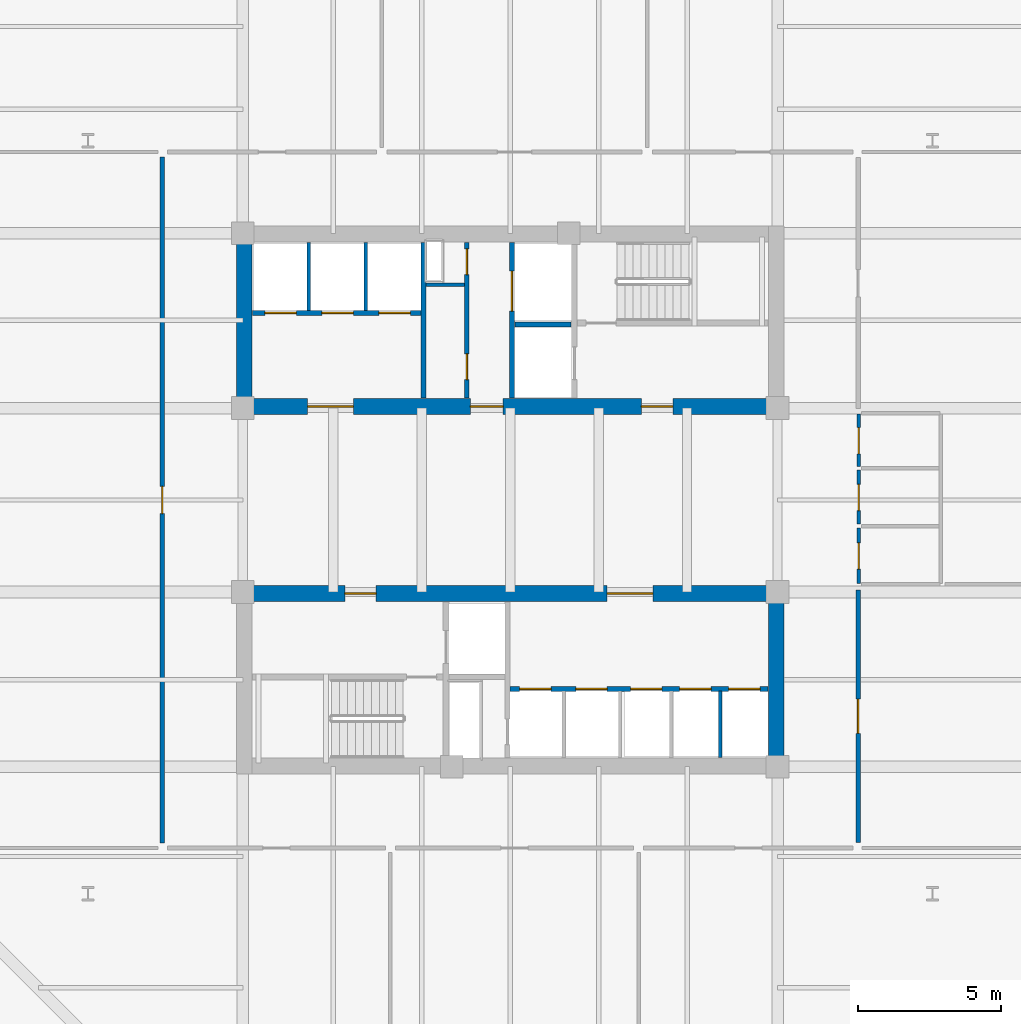
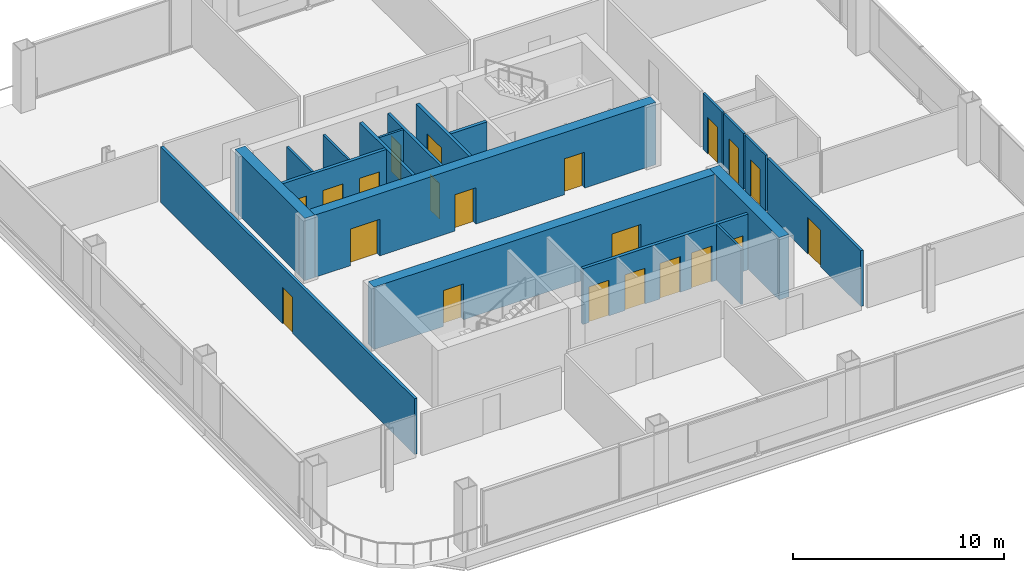
# One storey, part 20 of 24: 21 doors, 19 walls, 21 openings.
"""IFC4 building model written with IfcOpenShell, lengths in metres."""

import ifcopenshell
import ifcopenshell.guid

model = None  # the IFC model being written
_history = None  # IfcOwnerHistory: only IFC2X3 demands one
_inside = {}  # id of a spatial element -> (the spatial element, [elements in it])
_under = {}  # id of a project, library or spatial element -> (it, [spatial elements below it])
_declared = {}  # id of a project -> (the project, [libraries it declares])
_typed = {}  # id of a type object -> (the type object, [elements of that type])
_made_of = {}  # id of a material, layer set ... -> (it, [elements and type objects made of it])


def new_model(schema):
    """Start an empty IFC model of exactly this schema.

    Asked for "IFC4X3", IfcOpenShell would pick the latest addendum, in which some entities
    have other attributes; the version numbers below select the first issue.
    IFC2X3 requires an IfcOwnerHistory on every rooted entity: one is made here for all.
    """
    global model, _history
    if schema == "IFC4X3":
        model = ifcopenshell.file(schema_version=(4, 3, 0, 0))
    else:
        model = ifcopenshell.file(schema=schema)
    _inside.clear()
    _under.clear()
    _declared.clear()
    _typed.clear()
    _made_of.clear()
    _history = None
    if model.schema == "IFC2X3":
        org = make("IfcOrganization", Name="unknown")
        user = make(
            "IfcPersonAndOrganization",
            ThePerson=make("IfcPerson", FamilyName="unknown"),
            TheOrganization=org,
        )
        app = make(
            "IfcApplication",
            ApplicationDeveloper=org,
            Version="unknown",
            ApplicationFullName="unknown",
            ApplicationIdentifier="unknown",
        )
        _history = make(
            "IfcOwnerHistory",
            OwningUser=user,
            OwningApplication=app,
            ChangeAction="ADDED",
            CreationDate=0,
        )
    return model


def make(cls, **values):
    """One entity of the class cls with the attributes given. An attribute that is None is left unset."""
    return model.create_entity(
        cls, **{name: value for name, value in values.items() if value is not None}
    )


def rooted(cls, **values):
    """An entity with a GlobalId (a new one), such as an element, a storey or a relation."""
    return make(cls, GlobalId=ifcopenshell.guid.new(), OwnerHistory=_history, **values)


def si_unit(unit_type, name, prefix=None):
    """IfcSIUnit, for example si_unit("LENGTHUNIT", "METRE", prefix="MILLI")."""
    return make("IfcSIUnit", UnitType=unit_type, Prefix=prefix, Name=name)


def assignment(units):
    """IfcUnitAssignment: the units of a project."""
    return None if units is None else make("IfcUnitAssignment", Units=units)


def point(xyz):
    """IfcCartesianPoint."""
    return None if xyz is None else make("IfcCartesianPoint", Coordinates=xyz)


def direction(xyz):
    """IfcDirection."""
    return None if xyz is None else make("IfcDirection", DirectionRatios=xyz)


def frame(location, z_axis=None, x_axis=None):
    """IfcAxis2Placement3D, a coordinate frame: its origin and axes. An axis left out is left unset."""
    return make(
        "IfcAxis2Placement3D",
        Location=point(location),
        Axis=direction(z_axis),
        RefDirection=direction(x_axis),
    )


def frame_2d(location, x_axis=None):
    """IfcAxis2Placement2D, a coordinate frame in the plane: its origin and x axis."""
    return make(
        "IfcAxis2Placement2D", Location=point(location), RefDirection=direction(x_axis)
    )


def origin():
    """The frame at (0, 0, 0) with its axes left unset."""
    return frame((0.0, 0.0, 0.0))


def place(relative_to, where):
    """IfcLocalPlacement: puts the frame where relative to a parent placement (None: the world)."""
    return make(
        "IfcLocalPlacement", PlacementRelTo=relative_to, RelativePlacement=where
    )


def context(
    kind, dimensions, precision=None, world=None, true_north=None, identifier=None
):
    """IfcGeometricRepresentationContext, for example the 3D "Model" context."""
    return make(
        "IfcGeometricRepresentationContext",
        ContextIdentifier=identifier,
        ContextType=kind,
        CoordinateSpaceDimension=dimensions,
        Precision=precision,
        WorldCoordinateSystem=world,
        TrueNorth=true_north,
    )


def subcontext(parent, identifier, kind, view, scale=None):
    """IfcGeometricRepresentationSubContext, for example "Body" below "Model"."""
    return make(
        "IfcGeometricRepresentationSubContext",
        ContextIdentifier=identifier,
        ContextType=kind,
        ParentContext=parent,
        TargetScale=scale,
        TargetView=view,
    )


def project(units=None, contexts=None):
    """IfcProject with its units and contexts."""
    return rooted(
        "IfcProject",
        Name="project",
        RepresentationContexts=contexts,
        UnitsInContext=assignment(units),
    )


def spatial(cls, under=None, at=None, **own):
    """A site, building, storey or space (cls), placed at a placement, below another one or the project."""
    s = rooted(cls, ObjectPlacement=at, **own)
    if under is not None:
        _under.setdefault(under.id(), (under, []))[1].append(s)
    return s


def profile(cls, at=None, kind="AREA", **sizes):
    """A parametric profile (cls). Its sizes go by their IFC names, for example OverallWidth=200.0."""
    return make(cls, ProfileType=kind, Position=at, **sizes)


def rectangle(**sizes):
    """IfcRectangleProfileDef."""
    return profile("IfcRectangleProfileDef", **sizes)


def extrude(swept, where, along, depth):
    """IfcExtrudedAreaSolid: the profile swept, set in the frame where, extruded along a direction by depth."""
    return make(
        "IfcExtrudedAreaSolid",
        SweptArea=swept,
        Position=where,
        ExtrudedDirection=direction(along),
        Depth=depth,
    )


def shape(context_of_items, identifier, shape_type, items):
    """IfcShapeRepresentation: the items that make up one representation, for example the "Body"."""
    return make(
        "IfcShapeRepresentation",
        ContextOfItems=context_of_items,
        RepresentationIdentifier=identifier,
        RepresentationType=shape_type,
        Items=items,
    )


def material(Name=None, Category=None):
    """IfcMaterial."""
    return make("IfcMaterial", Name=Name, Category=Category)


def layer(
    of_material, thickness, ventilated=None, Name=None, Category=None, Priority=None
):
    """IfcMaterialLayer: one layer of a wall or slab, of a material (None: an air gap)."""
    return make(
        "IfcMaterialLayer",
        Material=of_material,
        LayerThickness=thickness,
        IsVentilated=ventilated,
        Name=Name,
        Category=Category,
        Priority=Priority,
    )


def layer_set(layers, Name=None):
    """IfcMaterialLayerSet."""
    return make("IfcMaterialLayerSet", MaterialLayers=layers, LayerSetName=Name)


def made_of(thing, what):
    """Note that an element or type object is made of a material, layer set ...; save() writes the relation."""
    if what is not None:
        _made_of.setdefault(what.id(), (what, []))[1].append(thing)
    return thing


def type_object(cls, material=None, **own):
    """A type object (cls), such as IfcWallType, which elements share."""
    return made_of(rooted(cls, **own), material)


def element(
    cls,
    number,
    at=None,
    inside=None,
    cuts=None,
    type_object=None,
    material=None,
    context=None,
    identifier="Body",
    shape_type=None,
    held_by="IfcProductDefinitionShape",
    body=None,
    shapes=None,
    **own,
):
    """One element of the class cls, such as IfcWall. Its Tag is "e" and its number.

    at: its placement. inside: the storey or other place that contains it. cuts: it is an
    opening in that element (IfcRelVoidsElement). A single representation is given by context,
    identifier, shape_type and body (its items); several are given by shapes. held_by: the class
    of the entity that holds the representations. save() writes the other relations.
    """
    e = rooted(cls, Tag="e%d" % number, ObjectPlacement=at, **own)
    if body is not None:
        shapes = [shape(context, identifier, shape_type, body)]
    if shapes is not None:
        e.Representation = make(held_by, Representations=shapes)
    if inside is not None:
        _inside.setdefault(inside.id(), (inside, []))[1].append(e)
    if cuts is not None:
        rooted(
            "IfcRelVoidsElement", RelatingBuildingElement=cuts, RelatedOpeningElement=e
        )
    if type_object is not None:
        _typed.setdefault(type_object.id(), (type_object, []))[1].append(e)
    return made_of(e, material)


def fill(opening, filler):
    """IfcRelFillsElement: the door or window that sits in an opening."""
    return rooted(
        "IfcRelFillsElement",
        RelatingOpeningElement=opening,
        RelatedBuildingElement=filler,
    )


def aggregate(whole, parts):
    """IfcRelAggregates: a whole, such as a stair, and the parts it consists of."""
    return rooted("IfcRelAggregates", RelatingObject=whole, RelatedObjects=parts)


def save(model, path):
    """Write the relations noted so far, then the file.

    IfcRelAggregates (storeys below a building ...), IfcRelContainedInSpatialStructure (elements
    in a storey), IfcRelDefinesByType, IfcRelAssociatesMaterial and IfcRelDeclares: one each for
    every whole, place, type object, material and project.
    """
    for whole, parts in _under.values():
        aggregate(whole, parts)
    for where, things in _inside.values():
        rooted(
            "IfcRelContainedInSpatialStructure",
            RelatedElements=things,
            RelatingStructure=where,
        )
    for kind, things in _typed.values():
        rooted("IfcRelDefinesByType", RelatedObjects=things, RelatingType=kind)
    for what, things in _made_of.values():
        rooted("IfcRelAssociatesMaterial", RelatedObjects=things, RelatingMaterial=what)
    for by, libraries in _declared.values():
        rooted("IfcRelDeclares", RelatingContext=by, RelatedDefinitions=libraries)
    model.write(path)


model = new_model("IFC4")

# Units and contexts
model_context = context("Model", 3, precision=1e-05, world=origin(), true_north=direction((0.0, 1.0)))
body_context = subcontext(model_context, "Body", "Model", "MODEL_VIEW")
ifc_project = project(units=[si_unit("LENGTHUNIT", "METRE"), si_unit("AREAUNIT", "SQUARE_METRE"), si_unit("VOLUMEUNIT", "CUBIC_METRE"), si_unit("PLANEANGLEUNIT", "RADIAN"), si_unit("MASSUNIT", "GRAM", prefix="KILO")], contexts=[model_context])

# Site, building, storey
site_placement = place(None, origin())
site = spatial("IfcSite", under=ifc_project, at=site_placement, CompositionType="ELEMENT")
building_placement = place(site_placement, origin())
building = spatial("IfcBuilding", under=site, at=building_placement, Name="Qhalaya Broadcast Tower", CompositionType="ELEMENT")
storey_placement = place(building_placement, frame((0.0, 0.0, 61.5)))
storey = spatial("IfcBuildingStorey", under=building, at=storey_placement, Name="L17", CompositionType="ELEMENT", Elevation=61.5)

# Wall, openings, doors
ifc_material_1 = material(Name="Gypsum Acoustic Partition")
ifc_layer_1 = layer(ifc_material_1, 0.14990234375, Name="Gypsum Acoustic Partition")
ifc_layer_set_1 = layer_set([ifc_layer_1], Name="Gypsum Acoustic Partition")
wall_type_1 = type_object("IfcWallType", Name="Corridor & Tenancy Acoustic Partition 150", PredefinedType="PARTITIONING", material=ifc_layer_set_1)
wall_1_placement = place(storey_placement, frame((-1.52001953125, 4.169921875, 0.0), z_axis=(0.0, 0.0, 1.0), x_axis=(0.0, 1.0, 0.0)))
wall_1 = element("IfcWall", 1, at=wall_1_placement, inside=storey, type_object=wall_type_1, Name="L17 Partition Wall NCW-SVL", PredefinedType="PARTITIONING", context=body_context, shape_type="SweptSolid", body=[
    extrude(rectangle(XDim=5.4599609375, YDim=0.14990234375, at=frame_2d((2.72998046875, 0.0))), origin(), (0.0, 0.0, 1.0), 3.219970703125),
])
opening_1_placement = place(wall_1_placement, frame((4.330078125, 0.0, 0.0)))
opening_1 = element("IfcOpeningElement", 2, at=opening_1_placement, cuts=wall_1, Name="Opening D06", PredefinedType="OPENING", context=body_context, shape_type="SweptSolid", body=[
    extrude(rectangle(XDim=0.89990234375, YDim=2.050048828125, at=frame_2d((0.449951171875, 1.02490234375))), frame((0.0, 0.0869140625, 0.0), z_axis=(0.0, -1.0, 0.0), x_axis=(1.0, 0.0, 0.0)), (0.0, 0.0, 1.0), 0.173828125),
])
opening_2_placement = place(wall_1_placement, frame((0.64990234375, 0.0, 0.0)))
opening_2 = element("IfcOpeningElement", 3, at=opening_2_placement, cuts=wall_1, Name="Opening D06", PredefinedType="OPENING", context=body_context, shape_type="SweptSolid", body=[
    extrude(rectangle(XDim=0.89990234375, YDim=2.050048828125, at=frame_2d((0.449951171875, 1.02490234375))), frame((0.0, 0.0869140625, 0.0), z_axis=(0.0, -1.0, 0.0), x_axis=(1.0, 0.0, 0.0)), (0.0, 0.0, 1.0), 0.173828125),
])
ifc_material_2 = material(Name="Fire-Rated Steel Door", Category="steel")
door_type_1 = type_object("IfcDoorType", Name="Riser & Electrical Shaft Access Door D06", OperationType="NOTDEFINED", PredefinedType="DOOR", material=ifc_material_2)
door_1_placement = place(opening_1_placement, origin())
door_1 = element("IfcDoor", 4, at=door_1_placement, inside=storey, type_object=door_type_1, Name="L17 Riser Shaft Access Door D-NRSR", OperationType="SINGLE_SWING_RIGHT", OverallHeight=2.050048828125, OverallWidth=0.89990234375, PredefinedType="DOOR", context=body_context, shape_type="SweptSolid", body=[
    extrude(rectangle(XDim=0.89990234375, YDim=2.050048828125, at=frame_2d((0.449951171875, 1.02490234375))), frame((0.0, 0.02490234375, 0.0), z_axis=(0.0, -1.0, 0.0), x_axis=(1.0, 0.0, 0.0)), (0.0, 0.0, 1.0), 0.050048828125),
])
fill(opening_1, door_1)
door_2_placement = place(opening_2_placement, origin())
door_2 = element("IfcDoor", 5, at=door_2_placement, inside=storey, type_object=door_type_1, Name="L17 Door D-NCST", OperationType="SINGLE_SWING_LEFT", OverallHeight=2.050048828125, OverallWidth=0.89990234375, PredefinedType="DOOR", context=body_context, shape_type="SweptSolid", body=[
    extrude(rectangle(XDim=0.89990234375, YDim=2.050048828125, at=frame_2d((0.449951171875, 1.02490234375))), frame((0.0, 0.02490234375, 0.0), z_axis=(0.0, -1.0, 0.0), x_axis=(1.0, 0.0, 0.0)), (0.0, 0.0, 1.0), 0.050048828125),
])
fill(opening_2, door_2)

# Wall, opening, door
wall_2_placement = place(storey_placement, frame((-12.199951171875, -11.419921875, 0.0), z_axis=(0.0, 0.0, 1.0), x_axis=(0.0, 1.0, 0.0)))
wall_2 = element("IfcWall", 6, at=wall_2_placement, inside=storey, type_object=wall_type_1, Name="L17 Partition Wall W-COR-07", PredefinedType="PARTITIONING", context=body_context, shape_type="SweptSolid", body=[
    extrude(rectangle(XDim=24.0400390625, YDim=0.14990234375, at=frame_2d((12.02001953125, 0.0))), origin(), (0.0, 0.0, 1.0), 3.219970703125),
])
opening_3_placement = place(wall_2_placement, frame((11.544921875, 0.0, 0.0)))
opening_3 = element("IfcOpeningElement", 7, at=opening_3_placement, cuts=wall_2, Name="Opening D10", PredefinedType="OPENING", context=body_context, shape_type="SweptSolid", body=[
    extrude(rectangle(XDim=0.949951171875, YDim=2.10009765625, at=frame_2d((0.47509765625, 1.050048828125))), frame((0.0, 0.0869140625, 0.0), z_axis=(0.0, -1.0, 0.0), x_axis=(1.0, 0.0, 0.0)), (0.0, 0.0, 1.0), 0.173828125),
])
ifc_material_3 = material(Name="Timber Veneer Acoustic Door", Category="wood")
door_type_2 = type_object("IfcDoorType", Name="Cellular Office & Edit Booth Door D10", OperationType="NOTDEFINED", PredefinedType="DOOR", material=ifc_material_3)
door_3_placement = place(opening_3_placement, origin())
door_3 = element("IfcDoor", 8, at=door_3_placement, inside=storey, type_object=door_type_2, Name="L17 Door D-RM07", OperationType="SINGLE_SWING_LEFT", OverallHeight=2.10009765625, OverallWidth=0.949951171875, PredefinedType="DOOR", context=body_context, shape_type="SweptSolid", body=[
    extrude(rectangle(XDim=0.949951171875, YDim=2.10009765625, at=frame_2d((0.47509765625, 1.050048828125))), frame((0.0, 0.02490234375, 0.0), z_axis=(0.0, -1.0, 0.0), x_axis=(1.0, 0.0, 0.0)), (0.0, 0.0, 1.0), 0.050048828125),
])
fill(opening_3, door_3)

wall_3_placement = place(storey_placement, frame((12.199951171875, -11.39990234375, 0.0), z_axis=(0.0, 0.0, 1.0), x_axis=(0.0, 1.0, 0.0)))
wall_3 = element("IfcWall", 9, at=wall_3_placement, inside=storey, type_object=wall_type_1, Name="L17 Partition Wall W-COR-08", PredefinedType="PARTITIONING", context=body_context, shape_type="SweptSolid", body=[
    extrude(rectangle(XDim=8.83984375, YDim=0.14990234375, at=frame_2d((4.419921875, 0.0))), origin(), (0.0, 0.0, 1.0), 3.219970703125),
])
opening_4_placement = place(wall_3_placement, frame((3.820068359375, 0.0, 0.0)))
opening_4 = element("IfcOpeningElement", 10, at=opening_4_placement, cuts=wall_3, Name="Opening D11", PredefinedType="OPENING", context=body_context, shape_type="SweptSolid", body=[
    extrude(rectangle(XDim=1.199951171875, YDim=2.10009765625, at=frame_2d((0.60009765625, 1.050048828125))), frame((0.0, 0.0869140625, 0.0), z_axis=(0.0, -1.0, 0.0), x_axis=(1.0, 0.0, 0.0)), (0.0, 0.0, 1.0), 0.173828125),
])
ifc_material_4 = material(Name="Anodised Aluminium Glazed Door", Category="aluminium")
door_type_3 = type_object("IfcDoorType", Name="Conference, Boardroom & Studio Control Door D11", OperationType="NOTDEFINED", PredefinedType="DOOR", material=ifc_material_4)
door_4_placement = place(opening_4_placement, origin())
door_4 = element("IfcDoor", 11, at=door_4_placement, inside=storey, type_object=door_type_3, Name="L17 Door D-RM08", OperationType="SINGLE_SWING_RIGHT", OverallHeight=2.10009765625, OverallWidth=1.199951171875, PredefinedType="DOOR", context=body_context, shape_type="SweptSolid", body=[
    extrude(rectangle(XDim=1.199951171875, YDim=2.10009765625, at=frame_2d((0.60009765625, 1.050048828125))), frame((0.0, 0.02490234375, 0.0), z_axis=(0.0, -1.0, 0.0), x_axis=(1.0, 0.0, 0.0)), (0.0, 0.0, 1.0), 0.050048828125),
])
fill(opening_4, door_4)

# Wall, openings, doors
ifc_material_5 = material(Name="Concrete C60/75", Category="concrete")
ifc_layer_2 = layer(ifc_material_5, 0.550048828125, Name="Concrete C60/75")
ifc_layer_set_2 = layer_set([ifc_layer_2], Name="Concrete C60/75")
wall_type_2 = type_object("IfcWallType", Name="Lower Split-Core Shear Wall 550", PredefinedType="SHEAR", material=ifc_layer_set_2)
wall_4_placement = place(storey_placement, frame((-9.60009765625, 3.875, 0.0), z_axis=(0.0, 0.0, 1.0), x_axis=(1.0, 0.0, 0.0)))
wall_4 = element("IfcWall", 12, at=wall_4_placement, inside=storey, type_object=wall_type_2, Name="L17 Split-Core Shear Wall CW-NS", PredefinedType="SHEAR", context=body_context, shape_type="SweptSolid", body=[
    extrude(rectangle(XDim=19.2001953125, YDim=0.550048828125, at=frame_2d((9.60009765625, 0.0))), origin(), (0.0, 0.0, 1.0), 3.60009765625),
])
opening_5_placement = place(wall_4_placement, frame((14.199951171875, 0.0, 0.0)))
opening_5 = element("IfcOpeningElement", 13, at=opening_5_placement, cuts=wall_4, Name="Opening D04", PredefinedType="OPENING", context=body_context, shape_type="SweptSolid", body=[
    extrude(rectangle(XDim=1.10009765625, YDim=2.080078125, at=frame_2d((0.550048828125, 1.0400390625))), frame((0.0, 0.287109375, 0.0), z_axis=(0.0, -1.0, 0.0), x_axis=(1.0, 0.0, 0.0)), (0.0, 0.0, 1.0), 0.573974609375),
])
opening_6_placement = place(wall_4_placement, frame((8.199951171875, 0.0, 0.0)))
opening_6 = element("IfcOpeningElement", 14, at=opening_6_placement, cuts=wall_4, Name="Opening D05", PredefinedType="OPENING", context=body_context, shape_type="SweptSolid", body=[
    extrude(rectangle(XDim=1.14990234375, YDim=2.10009765625, at=frame_2d((0.574951171875, 1.050048828125))), frame((0.0, 0.287109375, 0.0), z_axis=(0.0, -1.0, 0.0), x_axis=(1.0, 0.0, 0.0)), (0.0, 0.0, 1.0), 0.573974609375),
])
opening_7_placement = place(wall_4_placement, frame((2.5, 0.0, 0.0)))
opening_7 = element("IfcOpeningElement", 15, at=opening_7_placement, cuts=wall_4, Name="Opening D07", PredefinedType="OPENING", context=body_context, shape_type="SweptSolid", body=[
    extrude(rectangle(XDim=1.60009765625, YDim=2.1201171875, at=frame_2d((0.800048828125, 1.06005859375))), frame((0.0, 0.287109375, 0.0), z_axis=(0.0, -1.0, 0.0), x_axis=(1.0, 0.0, 0.0)), (0.0, 0.0, 1.0), 0.573974609375),
])
door_type_4 = type_object("IfcDoorType", Name="Firefighting Lobby Rated Door D04", OperationType="NOTDEFINED", PredefinedType="DOOR", material=ifc_material_2)
door_5_placement = place(opening_5_placement, origin())
door_5 = element("IfcDoor", 16, at=door_5_placement, inside=storey, type_object=door_type_4, Name="L17 Door D-NFF", OperationType="SINGLE_SWING_RIGHT", OverallHeight=2.080078125, OverallWidth=1.10009765625, PredefinedType="DOOR", context=body_context, shape_type="SweptSolid", body=[
    extrude(rectangle(XDim=1.10009765625, YDim=2.080078125, at=frame_2d((0.550048828125, 1.0400390625))), frame((0.0, 0.02490234375, 0.0), z_axis=(0.0, -1.0, 0.0), x_axis=(1.0, 0.0, 0.0)), (0.0, 0.0, 1.0), 0.050048828125),
])
fill(opening_5, door_5)
door_type_5 = type_object("IfcDoorType", Name="Passenger Lift Lobby Double Glazed Door D07", OperationType="DOUBLE_DOOR_SINGLE_SWING", PredefinedType="DOOR", material=ifc_material_4)
door_6_placement = place(opening_7_placement, origin())
door_6 = element("IfcDoor", 17, at=door_6_placement, inside=storey, type_object=door_type_5, Name="L17 Door D-NPLL", OperationType="DOUBLE_DOOR_SINGLE_SWING", OverallHeight=2.1201171875, OverallWidth=1.60009765625, PredefinedType="DOOR", context=body_context, shape_type="SweptSolid", body=[
    extrude(rectangle(XDim=1.60009765625, YDim=2.1201171875, at=frame_2d((0.800048828125, 1.06005859375))), frame((0.0, 0.02490234375, 0.0), z_axis=(0.0, -1.0, 0.0), x_axis=(1.0, 0.0, 0.0)), (0.0, 0.0, 1.0), 0.050048828125),
])
fill(opening_7, door_6)
door_type_6 = type_object("IfcDoorType", Name="Refuge & Plant Room Fire Door D05", OperationType="NOTDEFINED", PredefinedType="DOOR", material=ifc_material_2)
door_7_placement = place(opening_6_placement, origin())
door_7 = element("IfcDoor", 18, at=door_7_placement, inside=storey, type_object=door_type_6, Name="L17 Door D-NSVL", OperationType="SINGLE_SWING_LEFT", OverallHeight=2.10009765625, OverallWidth=1.14990234375, PredefinedType="DOOR", context=body_context, shape_type="SweptSolid", body=[
    extrude(rectangle(XDim=1.14990234375, YDim=2.10009765625, at=frame_2d((0.574951171875, 1.050048828125))), frame((0.0, 0.02490234375, 0.0), z_axis=(0.0, -1.0, 0.0), x_axis=(1.0, 0.0, 0.0)), (0.0, 0.0, 1.0), 0.050048828125),
])
fill(opening_6, door_7)

# Wall
wall_5_placement = place(storey_placement, frame((-9.324951171875, 3.60009765625, 0.0), z_axis=(0.0, 0.0, 1.0), x_axis=(0.0, 1.0, 0.0)))
element("IfcWall", 19, at=wall_5_placement, inside=storey, type_object=wall_type_2, Name="L17 Split-Core Shear Wall CW-NW", PredefinedType="SHEAR", context=body_context, shape_type="SweptSolid", body=[
    extrude(rectangle(XDim=6.599853515625, YDim=0.550048828125, at=frame_2d((3.2998046875, 0.0))), origin(), (0.0, 0.0, 1.0), 3.60009765625),
])

# Wall, openings, doors
wall_6_placement = place(storey_placement, frame((-9.60009765625, -2.675048828125, 0.0), z_axis=(0.0, 0.0, 1.0), x_axis=(1.0, 0.0, 0.0)))
wall_6 = element("IfcWall", 20, at=wall_6_placement, inside=storey, type_object=wall_type_2, Name="L17 Split-Core Shear Wall CW-SN", PredefinedType="SHEAR", context=body_context, shape_type="SweptSolid", body=[
    extrude(rectangle(XDim=19.2001953125, YDim=0.550048828125, at=frame_2d((9.60009765625, 0.0))), origin(), (0.0, 0.0, 1.0), 3.60009765625),
])
opening_8_placement = place(wall_6_placement, frame((3.800048828125, 0.0, 0.0)))
opening_8 = element("IfcOpeningElement", 21, at=opening_8_placement, cuts=wall_6, Name="Opening D04", PredefinedType="OPENING", context=body_context, shape_type="SweptSolid", body=[
    extrude(rectangle(XDim=1.10009765625, YDim=2.080078125, at=frame_2d((0.550048828125, 1.0400390625))), frame((0.0, 0.287109375, 0.0), z_axis=(0.0, -1.0, 0.0), x_axis=(1.0, 0.0, 0.0)), (0.0, 0.0, 1.0), 0.573974609375),
])
opening_9_placement = place(wall_6_placement, frame((13.0, 0.0, 0.0)))
opening_9 = element("IfcOpeningElement", 22, at=opening_9_placement, cuts=wall_6, Name="Opening D07", PredefinedType="OPENING", context=body_context, shape_type="SweptSolid", body=[
    extrude(rectangle(XDim=1.60009765625, YDim=2.1201171875, at=frame_2d((0.800048828125, 1.06005859375))), frame((0.0, 0.287109375, 0.0), z_axis=(0.0, -1.0, 0.0), x_axis=(1.0, 0.0, 0.0)), (0.0, 0.0, 1.0), 0.573974609375),
])
door_8_placement = place(opening_8_placement, origin())
door_8 = element("IfcDoor", 23, at=door_8_placement, inside=storey, type_object=door_type_4, Name="L17 Door D-SFF", OperationType="SINGLE_SWING_LEFT", OverallHeight=2.080078125, OverallWidth=1.10009765625, PredefinedType="DOOR", context=body_context, shape_type="SweptSolid", body=[
    extrude(rectangle(XDim=1.10009765625, YDim=2.080078125, at=frame_2d((0.550048828125, 1.0400390625))), frame((0.0, 0.02490234375, 0.0), z_axis=(0.0, -1.0, 0.0), x_axis=(1.0, 0.0, 0.0)), (0.0, 0.0, 1.0), 0.050048828125),
])
fill(opening_8, door_8)
door_9_placement = place(opening_9_placement, origin())
door_9 = element("IfcDoor", 24, at=door_9_placement, inside=storey, type_object=door_type_5, Name="L17 Door D-SPLL", OperationType="DOUBLE_DOOR_SINGLE_SWING", OverallHeight=2.1201171875, OverallWidth=1.60009765625, PredefinedType="DOOR", context=body_context, shape_type="SweptSolid", body=[
    extrude(rectangle(XDim=1.60009765625, YDim=2.1201171875, at=frame_2d((0.800048828125, 1.06005859375))), frame((0.0, 0.02490234375, 0.0), z_axis=(0.0, -1.0, 0.0), x_axis=(1.0, 0.0, 0.0)), (0.0, 0.0, 1.0), 0.050048828125),
])
fill(opening_9, door_9)

# Walls
wall_7_placement = place(storey_placement, frame((9.324951171875, -9.0, 0.0), z_axis=(0.0, 0.0, 1.0), x_axis=(0.0, 1.0, 0.0)))
element("IfcWall", 25, at=wall_7_placement, inside=storey, type_object=wall_type_2, Name="L17 Split-Core Shear Wall CW-SE", PredefinedType="SHEAR", context=body_context, shape_type="SweptSolid", body=[
    extrude(rectangle(XDim=6.60009765625, YDim=0.550048828125, at=frame_2d((3.300048828125, 0.0))), origin(), (0.0, 0.0, 1.0), 3.60009765625),
])
ifc_layer_3 = layer(ifc_material_1, 0.1201171875, Name="Gypsum Acoustic Partition")
ifc_layer_set_3 = layer_set([ifc_layer_3], Name="Gypsum Acoustic Partition")
wall_type_3 = type_object("IfcWallType", Name="Office, Booth & Sanitary Partition 120", PredefinedType="PARTITIONING", material=ifc_layer_set_3)
wall_8_placement = place(storey_placement, frame((-2.9599609375, 8.14990234375, 0.0), z_axis=(0.0, 0.0, 1.0), x_axis=(1.0, 0.0, 0.0)))
element("IfcWall", 26, at=wall_8_placement, inside=storey, type_object=wall_type_3, Name="L17 Partition Wall NCW-VA", PredefinedType="PARTITIONING", context=body_context, shape_type="SweptSolid", body=[
    extrude(rectangle(XDim=1.35986328125, YDim=0.1201171875, at=frame_2d((0.679931640625, 0.0))), origin(), (0.0, 0.0, 1.0), 3.219970703125),
])
for number, where, z_axis, x_axis, name in (
    (27, (-7.06005859375, 7.25, 0.0), (0.0, 0.0, 1.0), (0.0, 1.0, 0.0), "L17 Partition Wall NCW-PD1"),
    (28, (-5.06005859375, 7.25, 0.0), (0.0, 0.0, 1.0), (0.0, 1.0, 0.0), "L17 Partition Wall NCW-PD2"),
):
    element("IfcWall", number, at=place(storey_placement, frame(where, z_axis=z_axis, x_axis=x_axis)), inside=storey, type_object=wall_type_3, Name=name, PredefinedType="PARTITIONING", context=body_context, shape_type="SweptSolid", body=[
        extrude(rectangle(XDim=2.3798828125, YDim=0.1201171875, at=frame_2d((1.18994140625, 0.0))), origin(), (0.0, 0.0, 1.0), 3.219970703125),
    ])
wall_9_placement = place(storey_placement, frame((7.360107421875, -8.429931640625, 0.0), z_axis=(0.0, 0.0, 1.0), x_axis=(0.0, 1.0, 0.0)))
element("IfcWall", 29, at=wall_9_placement, inside=storey, type_object=wall_type_3, Name="L17 Partition Wall SCW-HD7", PredefinedType="PARTITIONING", context=body_context, shape_type="SweptSolid", body=[
    extrude(rectangle(XDim=2.329833984375, YDim=0.1201171875, at=frame_2d((1.1650390625, 0.0))), origin(), (0.0, 0.0, 1.0), 3.219970703125),
])

# Wall, opening, door
wall_10_placement = place(storey_placement, frame((12.219970703125, -2.320068359375, 0.0), z_axis=(0.0, 0.0, 1.0), x_axis=(0.0, 1.0, 0.0)))
wall_10 = element("IfcWall", 30, at=wall_10_placement, inside=storey, type_object=wall_type_3, Name="L17 Partition Wall W-WCWA", PredefinedType="PARTITIONING", context=body_context, shape_type="SweptSolid", body=[
    extrude(rectangle(XDim=1.940185546875, YDim=0.1201171875, at=frame_2d((0.97021484375, 0.0))), origin(), (0.0, 0.0, 1.0), 3.219970703125),
])
opening_10_placement = place(wall_10_placement, frame((0.4951171875, 0.0, 0.0)))
opening_10 = element("IfcOpeningElement", 31, at=opening_10_placement, cuts=wall_10, Name="Opening D12", PredefinedType="OPENING", context=body_context, shape_type="SweptSolid", body=[
    extrude(rectangle(XDim=0.919921875, YDim=2.10009765625, at=frame_2d((0.4599609375, 1.050048828125))), frame((0.0, 0.072021484375, 0.0), z_axis=(0.0, -1.0, 0.0), x_axis=(1.0, 0.0, 0.0)), (0.0, 0.0, 1.0), 0.14404296875),
])
door_type_7 = type_object("IfcDoorType", Name="Accessible WC & Restroom Door D12", OperationType="NOTDEFINED", PredefinedType="DOOR", material=ifc_material_3)
door_10_placement = place(opening_10_placement, origin())
door_10 = element("IfcDoor", 32, at=door_10_placement, inside=storey, type_object=door_type_7, Name="L17 Door D-WCA", OperationType="SINGLE_SWING_LEFT", OverallHeight=2.10009765625, OverallWidth=0.919921875, PredefinedType="DOOR", context=body_context, shape_type="SweptSolid", body=[
    extrude(rectangle(XDim=0.919921875, YDim=2.10009765625, at=frame_2d((0.4599609375, 1.050048828125))), frame((0.0, 0.02490234375, 0.0), z_axis=(0.0, -1.0, 0.0), x_axis=(1.0, 0.0, 0.0)), (0.0, 0.0, 1.0), 0.050048828125),
])
fill(opening_10, door_10)

wall_11_placement = place(storey_placement, frame((12.219970703125, -0.25, 0.0), z_axis=(0.0, 0.0, 1.0), x_axis=(0.0, 1.0, 0.0)))
wall_11 = element("IfcWall", 33, at=wall_11_placement, inside=storey, type_object=wall_type_3, Name="L17 Partition Wall W-WCWM", PredefinedType="PARTITIONING", context=body_context, shape_type="SweptSolid", body=[
    extrude(rectangle(XDim=1.89990234375, YDim=0.1201171875, at=frame_2d((0.949951171875, 0.0))), origin(), (0.0, 0.0, 1.0), 3.219970703125),
])
opening_11_placement = place(wall_11_placement, frame((0.47509765625, 0.0, 0.0)))
opening_11 = element("IfcOpeningElement", 34, at=opening_11_placement, cuts=wall_11, Name="Opening D12", PredefinedType="OPENING", context=body_context, shape_type="SweptSolid", body=[
    extrude(rectangle(XDim=0.919921875, YDim=2.10009765625, at=frame_2d((0.4599609375, 1.050048828125))), frame((0.0, 0.072021484375, 0.0), z_axis=(0.0, -1.0, 0.0), x_axis=(1.0, 0.0, 0.0)), (0.0, 0.0, 1.0), 0.14404296875),
])
door_11_placement = place(opening_11_placement, origin())
door_11 = element("IfcDoor", 35, at=door_11_placement, inside=storey, type_object=door_type_7, Name="L17 Door D-WCM", OperationType="SINGLE_SWING_RIGHT", OverallHeight=2.10009765625, OverallWidth=0.919921875, PredefinedType="DOOR", context=body_context, shape_type="SweptSolid", body=[
    extrude(rectangle(XDim=0.919921875, YDim=2.10009765625, at=frame_2d((0.4599609375, 1.050048828125))), frame((0.0, 0.02490234375, 0.0), z_axis=(0.0, -1.0, 0.0), x_axis=(1.0, 0.0, 0.0)), (0.0, 0.0, 1.0), 0.050048828125),
])
fill(opening_11, door_11)

wall_12_placement = place(storey_placement, frame((12.219970703125, 1.780029296875, 0.0), z_axis=(0.0, 0.0, 1.0), x_axis=(0.0, 1.0, 0.0)))
wall_12 = element("IfcWall", 36, at=wall_12_placement, inside=storey, type_object=wall_type_3, Name="L17 Partition Wall W-WCWF", PredefinedType="PARTITIONING", context=body_context, shape_type="SweptSolid", body=[
    extrude(rectangle(XDim=1.830078125, YDim=0.1201171875, at=frame_2d((0.9150390625, 0.0))), origin(), (0.0, 0.0, 1.0), 3.219970703125),
])
opening_12_placement = place(wall_12_placement, frame((0.43994140625, 0.0, 0.0)))
opening_12 = element("IfcOpeningElement", 37, at=opening_12_placement, cuts=wall_12, Name="Opening D12", PredefinedType="OPENING", context=body_context, shape_type="SweptSolid", body=[
    extrude(rectangle(XDim=0.919921875, YDim=2.10009765625, at=frame_2d((0.4599609375, 1.050048828125))), frame((0.0, 0.072021484375, 0.0), z_axis=(0.0, -1.0, 0.0), x_axis=(1.0, 0.0, 0.0)), (0.0, 0.0, 1.0), 0.14404296875),
])
door_12_placement = place(opening_12_placement, origin())
door_12 = element("IfcDoor", 38, at=door_12_placement, inside=storey, type_object=door_type_7, Name="L17 Door D-WCF", OperationType="SINGLE_SWING_LEFT", OverallHeight=2.10009765625, OverallWidth=0.919921875, PredefinedType="DOOR", context=body_context, shape_type="SweptSolid", body=[
    extrude(rectangle(XDim=0.919921875, YDim=2.10009765625, at=frame_2d((0.4599609375, 1.050048828125))), frame((0.0, 0.02490234375, 0.0), z_axis=(0.0, -1.0, 0.0), x_axis=(1.0, 0.0, 0.0)), (0.0, 0.0, 1.0), 0.050048828125),
])
fill(opening_12, door_12)

ifc_layer_4 = layer(ifc_material_1, 0.175048828125, Name="Gypsum Acoustic Partition")
ifc_layer_set_4 = layer_set([ifc_layer_4], Name="Gypsum Acoustic Partition")
wall_type_4 = type_object("IfcWallType", Name="Shaft & Riser Fire Partition 175", PredefinedType="PARTITIONING", material=ifc_layer_set_4)
wall_13_placement = place(storey_placement, frame((0.06005859375, 4.169921875, 0.0), z_axis=(0.0, 0.0, 1.0), x_axis=(0.0, 1.0, 0.0)))
wall_13 = element("IfcWall", 39, at=wall_13_placement, inside=storey, type_object=wall_type_4, Name="L17 Partition Wall NCW-SVW", PredefinedType="PARTITIONING", context=body_context, shape_type="SweptSolid", body=[
    extrude(rectangle(XDim=5.4599609375, YDim=0.175048828125, at=frame_2d((2.72998046875, 0.0))), origin(), (0.0, 0.0, 1.0), 3.219970703125),
])
opening_13_placement = place(wall_13_placement, frame((3.050048828125, 0.0, 0.0)))
opening_13 = element("IfcOpeningElement", 40, at=opening_13_placement, cuts=wall_13, Name="Opening LD3", PredefinedType="OPENING", context=body_context, shape_type="SweptSolid", body=[
    extrude(rectangle(XDim=1.39990234375, YDim=2.1201171875, at=frame_2d((0.699951171875, 1.06005859375))), frame((0.0, 0.099609375, 0.0), z_axis=(0.0, -1.0, 0.0), x_axis=(1.0, 0.0, 0.0)), (0.0, 0.0, 1.0), 0.198974609375),
])
ifc_material_6 = material(Name="Brushed Stainless Steel Lift Door", Category="steel")
door_type_8 = type_object("IfcDoorType", Name="Service Lift Wide Sliding Landing Door LD3", OperationType="DOUBLE_DOOR_SLIDING", PredefinedType="DOOR", material=ifc_material_6)
door_13_placement = place(opening_13_placement, origin())
door_13 = element("IfcDoor", 41, at=door_13_placement, inside=storey, type_object=door_type_8, Name="L17 Door LD-SV1", OperationType="DOUBLE_DOOR_SLIDING", OverallHeight=2.1201171875, OverallWidth=1.39990234375, PredefinedType="DOOR", context=body_context, shape_type="SweptSolid", body=[
    extrude(rectangle(XDim=1.39990234375, YDim=2.1201171875, at=frame_2d((0.699951171875, 1.06005859375))), frame((0.0, 0.02490234375, 0.0), z_axis=(0.0, -1.0, 0.0), x_axis=(1.0, 0.0, 0.0)), (0.0, 0.0, 1.0), 0.050048828125),
])
fill(opening_13, door_13)

# Walls
wall_14_placement = place(storey_placement, frame((0.159912109375, 6.75, 0.0), z_axis=(0.0, 0.0, 1.0), x_axis=(1.0, 0.0, 0.0)))
element("IfcWall", 42, at=wall_14_placement, inside=storey, type_object=wall_type_4, Name="L17 Partition Wall NCW-SVM", PredefinedType="PARTITIONING", context=body_context, shape_type="SweptSolid", body=[
    extrude(rectangle(XDim=1.97998046875, YDim=0.175048828125, at=frame_2d((0.989990234375, 0.0))), origin(), (0.0, 0.0, 1.0), 3.219970703125),
])
wall_15_placement = place(storey_placement, frame((-3.0400390625, 4.169921875, 0.0), z_axis=(0.0, 0.0, 1.0), x_axis=(0.0, 1.0, 0.0)))
element("IfcWall", 43, at=wall_15_placement, inside=storey, type_object=wall_type_4, Name="L17 Partition Wall NCW-VRW", PredefinedType="PARTITIONING", context=body_context, shape_type="SweptSolid", body=[
    extrude(rectangle(XDim=5.4599609375, YDim=0.175048828125, at=frame_2d((2.72998046875, 0.0))), origin(), (0.0, 0.0, 1.0), 3.219970703125),
])

# Wall, openings, doors
wall_16_placement = place(storey_placement, frame((-9.030029296875, 7.159912109375, 0.0), z_axis=(0.0, 0.0, 1.0), x_axis=(1.0, 0.0, 0.0)))
wall_16 = element("IfcWall", 44, at=wall_16_placement, inside=storey, type_object=wall_type_4, Name="L17 Partition Wall NCW-PLB", PredefinedType="PARTITIONING", context=body_context, shape_type="SweptSolid", body=[
    extrude(rectangle(XDim=5.909912109375, YDim=0.175048828125, at=frame_2d((2.955078125, 0.0))), origin(), (0.0, 0.0, 1.0), 3.219970703125),
])
opening_14_placement = place(wall_16_placement, frame((0.429931640625, 0.0, 0.0)))
opening_14 = element("IfcOpeningElement", 45, at=opening_14_placement, cuts=wall_16, Name="Opening LD1", PredefinedType="OPENING", context=body_context, shape_type="SweptSolid", body=[
    extrude(rectangle(XDim=1.10009765625, YDim=2.06005859375, at=frame_2d((0.550048828125, 1.030029296875))), frame((0.0, 0.099609375, 0.0), z_axis=(0.0, -1.0, 0.0), x_axis=(1.0, 0.0, 0.0)), (0.0, 0.0, 1.0), 0.198974609375),
])
opening_15_placement = place(wall_16_placement, frame((2.429931640625, 0.0, 0.0)))
opening_15 = element("IfcOpeningElement", 46, at=opening_15_placement, cuts=wall_16, Name="Opening LD1", PredefinedType="OPENING", context=body_context, shape_type="SweptSolid", body=[
    extrude(rectangle(XDim=1.10009765625, YDim=2.06005859375, at=frame_2d((0.550048828125, 1.030029296875))), frame((0.0, 0.099609375, 0.0), z_axis=(0.0, -1.0, 0.0), x_axis=(1.0, 0.0, 0.0)), (0.0, 0.0, 1.0), 0.198974609375),
])
opening_16_placement = place(wall_16_placement, frame((4.429931640625, 0.0, 0.0)))
opening_16 = element("IfcOpeningElement", 47, at=opening_16_placement, cuts=wall_16, Name="Opening LD1", PredefinedType="OPENING", context=body_context, shape_type="SweptSolid", body=[
    extrude(rectangle(XDim=1.10009765625, YDim=2.06005859375, at=frame_2d((0.550048828125, 1.030029296875))), frame((0.0, 0.099609375, 0.0), z_axis=(0.0, -1.0, 0.0), x_axis=(1.0, 0.0, 0.0)), (0.0, 0.0, 1.0), 0.198974609375),
])
door_type_9 = type_object("IfcDoorType", Name="Passenger Lift Sliding Landing Door LD1", OperationType="DOUBLE_DOOR_SLIDING", PredefinedType="DOOR", material=ifc_material_6)
door_14_placement = place(opening_14_placement, origin())
door_14 = element("IfcDoor", 48, at=door_14_placement, inside=storey, type_object=door_type_9, Name="L17 Door LD-P1", OperationType="DOUBLE_DOOR_SLIDING", OverallHeight=2.06005859375, OverallWidth=1.10009765625, PredefinedType="DOOR", context=body_context, shape_type="SweptSolid", body=[
    extrude(rectangle(XDim=1.10009765625, YDim=2.06005859375, at=frame_2d((0.550048828125, 1.030029296875))), frame((0.0, 0.02490234375, 0.0), z_axis=(0.0, -1.0, 0.0), x_axis=(1.0, 0.0, 0.0)), (0.0, 0.0, 1.0), 0.050048828125),
])
fill(opening_14, door_14)
door_15_placement = place(opening_15_placement, origin())
door_15 = element("IfcDoor", 49, at=door_15_placement, inside=storey, type_object=door_type_9, Name="L17 Door LD-P2", OperationType="DOUBLE_DOOR_SLIDING", OverallHeight=2.06005859375, OverallWidth=1.10009765625, PredefinedType="DOOR", context=body_context, shape_type="SweptSolid", body=[
    extrude(rectangle(XDim=1.10009765625, YDim=2.06005859375, at=frame_2d((0.550048828125, 1.030029296875))), frame((0.0, 0.02490234375, 0.0), z_axis=(0.0, -1.0, 0.0), x_axis=(1.0, 0.0, 0.0)), (0.0, 0.0, 1.0), 0.050048828125),
])
fill(opening_15, door_15)
door_16_placement = place(opening_16_placement, origin())
door_16 = element("IfcDoor", 50, at=door_16_placement, inside=storey, type_object=door_type_9, Name="L17 Door LD-P3", OperationType="DOUBLE_DOOR_SLIDING", OverallHeight=2.06005859375, OverallWidth=1.10009765625, PredefinedType="DOOR", context=body_context, shape_type="SweptSolid", body=[
    extrude(rectangle(XDim=1.10009765625, YDim=2.06005859375, at=frame_2d((0.550048828125, 1.030029296875))), frame((0.0, 0.02490234375, 0.0), z_axis=(0.0, -1.0, 0.0), x_axis=(1.0, 0.0, 0.0)), (0.0, 0.0, 1.0), 0.050048828125),
])
fill(opening_16, door_16)

wall_17_placement = place(storey_placement, frame((0.0, -6.02001953125, 0.0), z_axis=(0.0, 0.0, 1.0), x_axis=(1.0, 0.0, 0.0)))
wall_17 = element("IfcWall", 51, at=wall_17_placement, inside=storey, type_object=wall_type_4, Name="L17 Partition Wall SCW-SLB", PredefinedType="PARTITIONING", context=body_context, shape_type="SweptSolid", body=[
    extrude(rectangle(XDim=9.030029296875, YDim=0.175048828125, at=frame_2d((4.51513671875, 0.0))), origin(), (0.0, 0.0, 1.0), 3.219970703125),
])
opening_17_placement = place(wall_17_placement, frame((0.330078125, 0.0, 0.0)))
opening_17 = element("IfcOpeningElement", 52, at=opening_17_placement, cuts=wall_17, Name="Opening LD1", PredefinedType="OPENING", context=body_context, shape_type="SweptSolid", body=[
    extrude(rectangle(XDim=1.10009765625, YDim=2.06005859375, at=frame_2d((0.550048828125, 1.030029296875))), frame((0.0, 0.099609375, 0.0), z_axis=(0.0, -1.0, 0.0), x_axis=(1.0, 0.0, 0.0)), (0.0, 0.0, 1.0), 0.198974609375),
])
opening_18_placement = place(wall_17_placement, frame((2.300048828125, 0.0, 0.0)))
opening_18 = element("IfcOpeningElement", 53, at=opening_18_placement, cuts=wall_17, Name="Opening LD1", PredefinedType="OPENING", context=body_context, shape_type="SweptSolid", body=[
    extrude(rectangle(XDim=1.10009765625, YDim=2.06005859375, at=frame_2d((0.550048828125, 1.030029296875))), frame((0.0, 0.099609375, 0.0), z_axis=(0.0, -1.0, 0.0), x_axis=(1.0, 0.0, 0.0)), (0.0, 0.0, 1.0), 0.198974609375),
])
opening_19_placement = place(wall_17_placement, frame((4.219970703125, 0.0, 0.0)))
opening_19 = element("IfcOpeningElement", 54, at=opening_19_placement, cuts=wall_17, Name="Opening LD1", PredefinedType="OPENING", context=body_context, shape_type="SweptSolid", body=[
    extrude(rectangle(XDim=1.10009765625, YDim=2.06005859375, at=frame_2d((0.550048828125, 1.030029296875))), frame((0.0, 0.099609375, 0.0), z_axis=(0.0, -1.0, 0.0), x_axis=(1.0, 0.0, 0.0)), (0.0, 0.0, 1.0), 0.198974609375),
])
opening_20_placement = place(wall_17_placement, frame((5.93994140625, 0.0, 0.0)))
opening_20 = element("IfcOpeningElement", 55, at=opening_20_placement, cuts=wall_17, Name="Opening LD1", PredefinedType="OPENING", context=body_context, shape_type="SweptSolid", body=[
    extrude(rectangle(XDim=1.10009765625, YDim=2.06005859375, at=frame_2d((0.550048828125, 1.030029296875))), frame((0.0, 0.099609375, 0.0), z_axis=(0.0, -1.0, 0.0), x_axis=(1.0, 0.0, 0.0)), (0.0, 0.0, 1.0), 0.198974609375),
])
opening_21_placement = place(wall_17_placement, frame((7.659912109375, 0.0, 0.0)))
opening_21 = element("IfcOpeningElement", 56, at=opening_21_placement, cuts=wall_17, Name="Opening LD1", PredefinedType="OPENING", context=body_context, shape_type="SweptSolid", body=[
    extrude(rectangle(XDim=1.10009765625, YDim=2.06005859375, at=frame_2d((0.550048828125, 1.030029296875))), frame((0.0, 0.099609375, 0.0), z_axis=(0.0, -1.0, 0.0), x_axis=(1.0, 0.0, 0.0)), (0.0, 0.0, 1.0), 0.198974609375),
])
door_17_placement = place(opening_17_placement, origin())
door_17 = element("IfcDoor", 57, at=door_17_placement, inside=storey, type_object=door_type_9, Name="L17 Door LD-P4", OperationType="DOUBLE_DOOR_SLIDING", OverallHeight=2.06005859375, OverallWidth=1.10009765625, PredefinedType="DOOR", context=body_context, shape_type="SweptSolid", body=[
    extrude(rectangle(XDim=1.10009765625, YDim=2.06005859375, at=frame_2d((0.550048828125, 1.030029296875))), frame((0.0, 0.02490234375, 0.0), z_axis=(0.0, -1.0, 0.0), x_axis=(1.0, 0.0, 0.0)), (0.0, 0.0, 1.0), 0.050048828125),
])
fill(opening_17, door_17)
door_18_placement = place(opening_18_placement, origin())
door_18 = element("IfcDoor", 58, at=door_18_placement, inside=storey, type_object=door_type_9, Name="L17 Door LD-P5", OperationType="DOUBLE_DOOR_SLIDING", OverallHeight=2.06005859375, OverallWidth=1.10009765625, PredefinedType="DOOR", context=body_context, shape_type="SweptSolid", body=[
    extrude(rectangle(XDim=1.10009765625, YDim=2.06005859375, at=frame_2d((0.550048828125, 1.030029296875))), frame((0.0, 0.02490234375, 0.0), z_axis=(0.0, -1.0, 0.0), x_axis=(1.0, 0.0, 0.0)), (0.0, 0.0, 1.0), 0.050048828125),
])
fill(opening_18, door_18)
door_19_placement = place(opening_19_placement, origin())
door_19 = element("IfcDoor", 59, at=door_19_placement, inside=storey, type_object=door_type_9, Name="L17 Door LD-P6", OperationType="DOUBLE_DOOR_SLIDING", OverallHeight=2.06005859375, OverallWidth=1.10009765625, PredefinedType="DOOR", context=body_context, shape_type="SweptSolid", body=[
    extrude(rectangle(XDim=1.10009765625, YDim=2.06005859375, at=frame_2d((0.550048828125, 1.030029296875))), frame((0.0, 0.02490234375, 0.0), z_axis=(0.0, -1.0, 0.0), x_axis=(1.0, 0.0, 0.0)), (0.0, 0.0, 1.0), 0.050048828125),
])
fill(opening_19, door_19)
door_20_placement = place(opening_20_placement, origin())
door_20 = element("IfcDoor", 60, at=door_20_placement, inside=storey, type_object=door_type_9, Name="L17 Door LD-P7", OperationType="DOUBLE_DOOR_SLIDING", OverallHeight=2.06005859375, OverallWidth=1.10009765625, PredefinedType="DOOR", context=body_context, shape_type="SweptSolid", body=[
    extrude(rectangle(XDim=1.10009765625, YDim=2.06005859375, at=frame_2d((0.550048828125, 1.030029296875))), frame((0.0, 0.02490234375, 0.0), z_axis=(0.0, -1.0, 0.0), x_axis=(1.0, 0.0, 0.0)), (0.0, 0.0, 1.0), 0.050048828125),
])
fill(opening_20, door_20)
door_21_placement = place(opening_21_placement, origin())
door_21 = element("IfcDoor", 61, at=door_21_placement, inside=storey, type_object=door_type_9, Name="L17 Door LD-P8", OperationType="DOUBLE_DOOR_SLIDING", OverallHeight=2.06005859375, OverallWidth=1.10009765625, PredefinedType="DOOR", context=body_context, shape_type="SweptSolid", body=[
    extrude(rectangle(XDim=1.10009765625, YDim=2.06005859375, at=frame_2d((0.550048828125, 1.030029296875))), frame((0.0, 0.02490234375, 0.0), z_axis=(0.0, -1.0, 0.0), x_axis=(1.0, 0.0, 0.0)), (0.0, 0.0, 1.0), 0.050048828125),
])
fill(opening_21, door_21)

save(model, "model.ifc")
